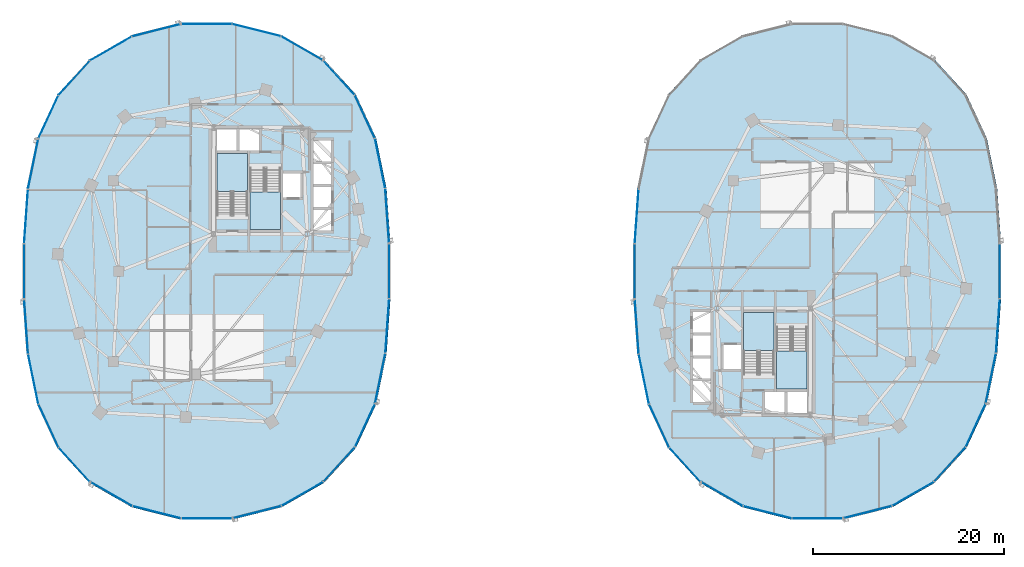
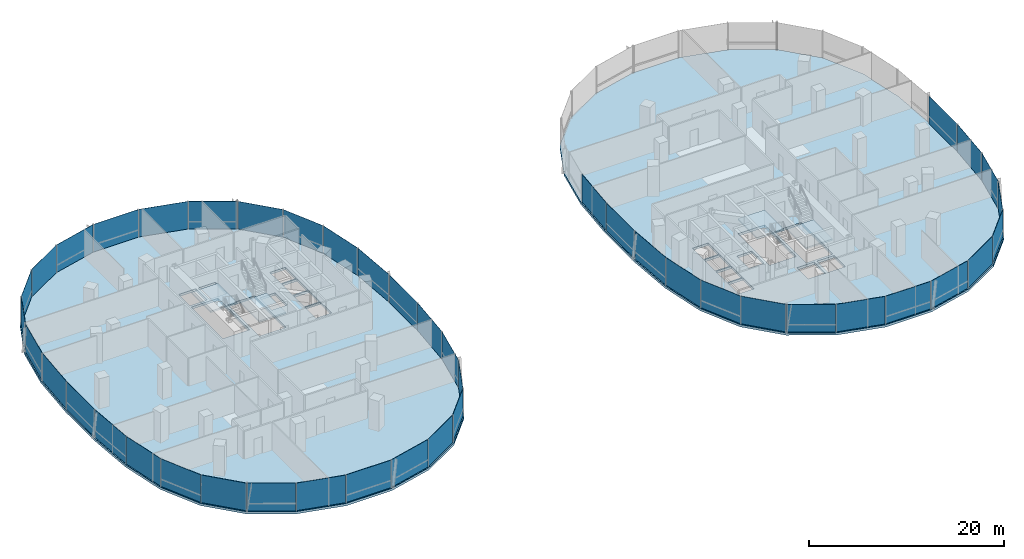
# One storey, part 9 of 22: 44 plates, 6 slabs, 11 elements without a shape of their own.
"""IFC4 building model written with IfcOpenShell, lengths in metres."""

from ifc_helpers import new_model, si_unit, direction, frame, origin, origin_2d, place, context, subcontext, project, spatial, polyline, rectangle, outline, extrude, material, layer, layer_set, type_object, element, aggregate, save


model = new_model("IFC4")

# Units and contexts
model_context = context("Model", 3, precision=1e-05, world=origin(), true_north=direction((0.0, 1.0)))
body_context = subcontext(model_context, "Body", "Model", "MODEL_VIEW")
ifc_project = project(units=[si_unit("LENGTHUNIT", "METRE"), si_unit("AREAUNIT", "SQUARE_METRE"), si_unit("VOLUMEUNIT", "CUBIC_METRE"), si_unit("PLANEANGLEUNIT", "RADIAN"), si_unit("MASSUNIT", "GRAM", prefix="KILO"), si_unit("THERMODYNAMICTEMPERATUREUNIT", "KELVIN"), si_unit("POWERUNIT", "WATT")], contexts=[model_context])

# Site, building, storey
site_placement = place(None, origin())
site = spatial("IfcSite", under=ifc_project, at=site_placement, CompositionType="ELEMENT")
building_placement = place(site_placement, origin())
building = spatial("IfcBuilding", under=site, at=building_placement, Name="Cundina Bronze Exchange", CompositionType="ELEMENT")
storey_placement = place(building_placement, frame((0.0, 0.0, 35.39990234375)))
storey = spatial("IfcBuildingStorey", under=building, at=storey_placement, Name="L08", CompositionType="ELEMENT", Elevation=35.39990234375)

# Curtain wall, plates
ifc_material_1 = material(Name="Anodised Bronze Aluminium 6063-T6", Category="aluminium")
curtain_wall_type = type_object("IfcCurtainWallType", Name="CWS-TRD-LOW", PredefinedType="NOTDEFINED", material=ifc_material_1)
curtain_wall_1_placement = place(storey_placement, origin())
curtain_wall_1 = element("IfcCurtainWall", 1, at=curtain_wall_1_placement, inside=storey, type_object=curtain_wall_type, Name="L08 CW-02 Curtain Wall Run CWR-L08-W1", PredefinedType="NOTDEFINED")
ifc_material_2 = material(Name="Heat-Strengthened Solar-Control Bronze Safety Glass 28mm", Category="glass")
ifc_layer_1 = layer(ifc_material_2, 0.028076171875, Name="Heat-Strengthened Solar-Control Bronze Safety Glass 28mm", Category="glass")
ifc_layer_set_1 = layer_set([ifc_layer_1], Name="Heat-Strengthened Solar-Control Bronze Safety Glass 28mm")
plate_type_1 = type_object("IfcPlateType", Name="PLT-GLZ-VIS28", PredefinedType="CURTAIN_PANEL", material=ifc_layer_set_1)
plate_1_placement = place(storey_placement, frame((-13.0732421875, 5.783935546875, 0.02001953125), z_axis=(0.0, 0.0, 1.0), x_axis=(-0.070278787473, 0.997527389113, 0.0)))
plate_1 = element("IfcPlate", 2, at=plate_1_placement, type_object=plate_type_1, Name="CW-02 Glazed Panel 1", PredefinedType="CURTAIN_PANEL", context=body_context, shape_type="SweptSolid", body=[
    extrude(rectangle(XDim=5.644287109375, YDim=0.028076171875, at=origin_2d()), origin(), (0.0, 0.0, 1.0), 3.4599609375),
])
plate_2_placement = place(storey_placement, frame((-15.413818359375, 16.177734375, 0.02001953125), z_axis=(0.0, 0.0, 1.0), x_axis=(-0.42084583328, 0.907132175932, 0.0)))
plate_2 = element("IfcPlate", 3, at=plate_2_placement, type_object=plate_type_1, Name="CW-02 Glazed Panel 3", PredefinedType="CURTAIN_PANEL", context=body_context, shape_type="SweptSolid", body=[
    extrude(rectangle(XDim=4.966552734375, YDim=0.028076171875, at=origin_2d()), origin(), (0.0, 0.0, 1.0), 3.4599609375),
])
plate_3_placement = place(storey_placement, frame((-18.1259765625, 20.267333984375, 0.02001953125), z_axis=(0.0, 0.0, 1.0), x_axis=(-0.674276610219, 0.73847887777, 0.0)))
plate_3 = element("IfcPlate", 4, at=plate_3_placement, type_object=plate_type_1, Name="CW-02 Glazed Panel 4", PredefinedType="CURTAIN_PANEL", context=body_context, shape_type="SweptSolid", body=[
    extrude(rectangle(XDim=4.86328125, YDim=0.028076171875, at=origin_2d()), origin(), (0.0, 0.0, 1.0), 3.4599609375),
])
plate_4_placement = place(storey_placement, frame((-21.980712890625, 23.34423828125, 0.02001953125), z_axis=(0.0, 0.0, 1.0), x_axis=(-0.867105478933, 0.498124571171, 0.0)))
plate_4 = element("IfcPlate", 5, at=plate_4_placement, type_object=plate_type_1, Name="CW-02 Glazed Panel 5", PredefinedType="CURTAIN_PANEL", context=body_context, shape_type="SweptSolid", body=[
    extrude(rectangle(XDim=5.021240234375, YDim=0.028076171875, at=origin_2d()), origin(), (0.0, 0.0, 1.0), 3.4599609375),
])
plate_5_placement = place(storey_placement, frame((-26.744384765625, 25.256591796875, 0.02001953125), z_axis=(0.0, 0.0, 1.0), x_axis=(-0.969488149345, 0.245138182011, 0.0)))
plate_5 = element("IfcPlate", 6, at=plate_5_placement, type_object=plate_type_1, Name="CW-02 Glazed Panel 6", PredefinedType="CURTAIN_PANEL", context=body_context, shape_type="SweptSolid", body=[
    extrude(rectangle(XDim=5.2333984375, YDim=0.028076171875, at=origin_2d()), origin(), (0.0, 0.0, 1.0), 3.4599609375),
])

curtain_wall_2_placement = place(storey_placement, origin())
curtain_wall_2 = element("IfcCurtainWall", 7, at=curtain_wall_2_placement, inside=storey, type_object=curtain_wall_type, Name="L08 CW-02 Curtain Wall Run CWR-L08-W2", PredefinedType="NOTDEFINED")
plate_6_placement = place(storey_placement, frame((-42.019287109375, 23.34423828125, 0.02001953125), z_axis=(0.0, 0.0, 1.0), x_axis=(-0.867105478933, -0.498124571171, 0.0)))
plate_6 = element("IfcPlate", 8, at=plate_6_placement, type_object=plate_type_1, Name="CW-02 Glazed Panel 2", PredefinedType="CURTAIN_PANEL", context=body_context, shape_type="SweptSolid", body=[
    extrude(rectangle(XDim=5.021240234375, YDim=0.028076171875, at=origin_2d()), origin(), (0.0, 0.0, 1.0), 3.4599609375),
])
plate_7_placement = place(storey_placement, frame((-45.8740234375, 20.267333984375, 0.02001953125), z_axis=(0.0, 0.0, 1.0), x_axis=(-0.674276610219, -0.73847887777, 0.0)))
plate_7 = element("IfcPlate", 9, at=plate_7_placement, type_object=plate_type_1, Name="CW-02 Glazed Panel 3", PredefinedType="CURTAIN_PANEL", context=body_context, shape_type="SweptSolid", body=[
    extrude(rectangle(XDim=4.86328125, YDim=0.028076171875, at=origin_2d()), origin(), (0.0, 0.0, 1.0), 3.4599609375),
])
plate_8_placement = place(storey_placement, frame((-48.586181640625, 16.177734375, 0.02001953125), z_axis=(0.0, 0.0, 1.0), x_axis=(-0.42084583328, -0.907132175932, 0.0)))
plate_8 = element("IfcPlate", 10, at=plate_8_placement, type_object=plate_type_1, Name="CW-02 Glazed Panel 4", PredefinedType="CURTAIN_PANEL", context=body_context, shape_type="SweptSolid", body=[
    extrude(rectangle(XDim=4.966552734375, YDim=0.028076171875, at=origin_2d()), origin(), (0.0, 0.0, 1.0), 3.4599609375),
])
plate_9_placement = place(storey_placement, frame((-50.18408203125, 11.269775390625, 0.02001953125), z_axis=(0.0, 0.0, 1.0), x_axis=(-0.201419845156, -0.979505000486, 0.0)))
plate_9 = element("IfcPlate", 11, at=plate_9_placement, type_object=plate_type_1, Name="CW-02 Glazed Panel 5", PredefinedType="CURTAIN_PANEL", context=body_context, shape_type="SweptSolid", body=[
    extrude(rectangle(XDim=5.306640625, YDim=0.028076171875, at=origin_2d()), origin(), (0.0, 0.0, 1.0), 3.4599609375),
])
plate_10_placement = place(storey_placement, frame((-51.1279296875, 0.0, 0.02001953125), z_axis=(0.0, 0.0, 1.0), x_axis=(0.0, -1.0, 0.0)))
plate_10 = element("IfcPlate", 12, at=plate_10_placement, type_object=plate_type_1, Name="CW-02 Glazed Panel 7", PredefinedType="CURTAIN_PANEL", context=body_context, shape_type="SweptSolid", body=[
    extrude(rectangle(XDim=5.77587890625, YDim=0.028076171875, at=origin_2d()), origin(), (0.0, 0.0, 1.0), 3.4599609375),
])

curtain_wall_3_placement = place(storey_placement, origin())
curtain_wall_3 = element("IfcCurtainWall", 13, at=curtain_wall_3_placement, inside=storey, type_object=curtain_wall_type, Name="L08 CW-02 Curtain Wall Run CWR-L08-W3", PredefinedType="NOTDEFINED")
plate_11_placement = place(storey_placement, frame((-50.9267578125, -5.783935546875, 0.02001953125), z_axis=(0.0, 0.0, 1.0), x_axis=(0.070278787473, -0.997527389113, 0.0)))
plate_11 = element("IfcPlate", 14, at=plate_11_placement, type_object=plate_type_1, Name="CW-02 Glazed Panel 1", PredefinedType="CURTAIN_PANEL", context=body_context, shape_type="SweptSolid", body=[
    extrude(rectangle(XDim=5.644287109375, YDim=0.028076171875, at=origin_2d()), origin(), (0.0, 0.0, 1.0), 3.4599609375),
])
plate_12_placement = place(storey_placement, frame((-50.18408203125, -11.269775390625, 0.02001953125), z_axis=(0.0, 0.0, 1.0), x_axis=(0.201419845156, -0.979505000486, 0.0)))
plate_12 = element("IfcPlate", 15, at=plate_12_placement, type_object=plate_type_1, Name="CW-02 Glazed Panel 2", PredefinedType="CURTAIN_PANEL", context=body_context, shape_type="SweptSolid", body=[
    extrude(rectangle(XDim=5.306640625, YDim=0.028076171875, at=origin_2d()), origin(), (0.0, 0.0, 1.0), 3.4599609375),
])
plate_13_placement = place(storey_placement, frame((-48.586181640625, -16.177734375, 0.02001953125), z_axis=(0.0, 0.0, 1.0), x_axis=(0.42084583328, -0.907132175932, 0.0)))
plate_13 = element("IfcPlate", 16, at=plate_13_placement, type_object=plate_type_1, Name="CW-02 Glazed Panel 3", PredefinedType="CURTAIN_PANEL", context=body_context, shape_type="SweptSolid", body=[
    extrude(rectangle(XDim=4.966552734375, YDim=0.028076171875, at=origin_2d()), origin(), (0.0, 0.0, 1.0), 3.4599609375),
])
plate_14_placement = place(storey_placement, frame((-45.8740234375, -20.267333984375, 0.02001953125), z_axis=(0.0, 0.0, 1.0), x_axis=(0.674276610219, -0.73847887777, 0.0)))
plate_14 = element("IfcPlate", 17, at=plate_14_placement, type_object=plate_type_1, Name="CW-02 Glazed Panel 4", PredefinedType="CURTAIN_PANEL", context=body_context, shape_type="SweptSolid", body=[
    extrude(rectangle(XDim=4.86328125, YDim=0.028076171875, at=origin_2d()), origin(), (0.0, 0.0, 1.0), 3.4599609375),
])
plate_15_placement = place(storey_placement, frame((-37.255615234375, -25.256591796875, 0.02001953125), z_axis=(0.0, 0.0, 1.0), x_axis=(0.969488149345, -0.245138182011, 0.0)))
plate_15 = element("IfcPlate", 18, at=plate_15_placement, type_object=plate_type_1, Name="CW-02 Glazed Panel 6", PredefinedType="CURTAIN_PANEL", context=body_context, shape_type="SweptSolid", body=[
    extrude(rectangle(XDim=5.2333984375, YDim=0.028076171875, at=origin_2d()), origin(), (0.0, 0.0, 1.0), 3.4599609375),
])
plate_16_placement = place(storey_placement, frame((-32.0, -25.905029296875, 0.02001953125), z_axis=(0.0, 0.0, 1.0), x_axis=(1.0, 0.0, 0.0)))
plate_16 = element("IfcPlate", 19, at=plate_16_placement, type_object=plate_type_1, Name="CW-02 Glazed Panel 7", PredefinedType="CURTAIN_PANEL", context=body_context, shape_type="SweptSolid", body=[
    extrude(rectangle(XDim=5.323974609375, YDim=0.028076171875, at=origin_2d()), origin(), (0.0, 0.0, 1.0), 3.4599609375),
])

curtain_wall_4_placement = place(storey_placement, origin())
curtain_wall_4 = element("IfcCurtainWall", 20, at=curtain_wall_4_placement, inside=storey, type_object=curtain_wall_type, Name="L08 CW-02 Curtain Wall Run CWR-L08-W4", PredefinedType="NOTDEFINED")
plate_17_placement = place(storey_placement, frame((-26.744384765625, -25.256591796875, 0.02001953125), z_axis=(0.0, 0.0, 1.0), x_axis=(0.969488149345, 0.245138182011, 0.0)))
plate_17 = element("IfcPlate", 21, at=plate_17_placement, type_object=plate_type_1, Name="CW-02 Glazed Panel 1", PredefinedType="CURTAIN_PANEL", context=body_context, shape_type="SweptSolid", body=[
    extrude(rectangle(XDim=5.2333984375, YDim=0.028076171875, at=origin_2d()), origin(), (0.0, 0.0, 1.0), 3.4599609375),
])
plate_18_placement = place(storey_placement, frame((-21.980712890625, -23.34423828125, 0.02001953125), z_axis=(0.0, 0.0, 1.0), x_axis=(0.867105478933, 0.498124571171, 0.0)))
plate_18 = element("IfcPlate", 22, at=plate_18_placement, type_object=plate_type_1, Name="CW-02 Glazed Panel 2", PredefinedType="CURTAIN_PANEL", context=body_context, shape_type="SweptSolid", body=[
    extrude(rectangle(XDim=5.021240234375, YDim=0.028076171875, at=origin_2d()), origin(), (0.0, 0.0, 1.0), 3.4599609375),
])
plate_19_placement = place(storey_placement, frame((-18.1259765625, -20.267333984375, 0.02001953125), z_axis=(0.0, 0.0, 1.0), x_axis=(0.674276610219, 0.73847887777, 0.0)))
plate_19 = element("IfcPlate", 23, at=plate_19_placement, type_object=plate_type_1, Name="CW-02 Glazed Panel 3", PredefinedType="CURTAIN_PANEL", context=body_context, shape_type="SweptSolid", body=[
    extrude(rectangle(XDim=4.86328125, YDim=0.028076171875, at=origin_2d()), origin(), (0.0, 0.0, 1.0), 3.4599609375),
])
plate_20_placement = place(storey_placement, frame((-13.81591796875, -11.269775390625, 0.02001953125), z_axis=(0.0, 0.0, 1.0), x_axis=(0.201419845156, 0.979505000486, 0.0)))
plate_20 = element("IfcPlate", 24, at=plate_20_placement, type_object=plate_type_1, Name="CW-02 Glazed Panel 5", PredefinedType="CURTAIN_PANEL", context=body_context, shape_type="SweptSolid", body=[
    extrude(rectangle(XDim=5.306640625, YDim=0.028076171875, at=origin_2d()), origin(), (0.0, 0.0, 1.0), 3.4599609375),
])
plate_21_placement = place(storey_placement, frame((-13.0732421875, -5.783935546875, 0.02001953125), z_axis=(0.0, 0.0, 1.0), x_axis=(0.070278787473, 0.997527389113, 0.0)))
plate_21 = element("IfcPlate", 25, at=plate_21_placement, type_object=plate_type_1, Name="CW-02 Glazed Panel 6", PredefinedType="CURTAIN_PANEL", context=body_context, shape_type="SweptSolid", body=[
    extrude(rectangle(XDim=5.644287109375, YDim=0.028076171875, at=origin_2d()), origin(), (0.0, 0.0, 1.0), 3.4599609375),
])
plate_22_placement = place(storey_placement, frame((-12.8720703125, 0.0, 0.02001953125), z_axis=(0.0, 0.0, 1.0), x_axis=(0.0, 1.0, 0.0)))
plate_22 = element("IfcPlate", 26, at=plate_22_placement, type_object=plate_type_1, Name="CW-02 Glazed Panel 7", PredefinedType="CURTAIN_PANEL", context=body_context, shape_type="SweptSolid", body=[
    extrude(rectangle(XDim=5.77587890625, YDim=0.028076171875, at=origin_2d()), origin(), (0.0, 0.0, 1.0), 3.4599609375),
])

# Curtain wall, plate
curtain_wall_5_placement = place(storey_placement, origin())
curtain_wall_5 = element("IfcCurtainWall", 27, at=curtain_wall_5_placement, inside=storey, type_object=curtain_wall_type, Name="L08 CW-02 Curtain Wall Run CWR-L08-E2", PredefinedType="NOTDEFINED")
plate_23_placement = place(storey_placement, frame((12.8720703125, 0.0, 0.02001953125), z_axis=(0.0, 0.0, 1.0), x_axis=(0.0, -1.0, 0.0)))
plate_23 = element("IfcPlate", 28, at=plate_23_placement, type_object=plate_type_1, Name="CW-02 Glazed Panel 7", PredefinedType="CURTAIN_PANEL", context=body_context, shape_type="SweptSolid", body=[
    extrude(rectangle(XDim=5.77587890625, YDim=0.028076171875, at=origin_2d()), origin(), (0.0, 0.0, 1.0), 3.4599609375),
])

# Curtain wall, plates
curtain_wall_6_placement = place(storey_placement, origin())
curtain_wall_6 = element("IfcCurtainWall", 29, at=curtain_wall_6_placement, inside=storey, type_object=curtain_wall_type, Name="L08 CW-02 Curtain Wall Run CWR-L08-E3", PredefinedType="NOTDEFINED")
plate_24_placement = place(storey_placement, frame((13.0732421875, -5.783935546875, 0.02001953125), z_axis=(0.0, 0.0, 1.0), x_axis=(0.070278787473, -0.997527389113, 0.0)))
plate_24 = element("IfcPlate", 30, at=plate_24_placement, type_object=plate_type_1, Name="CW-02 Glazed Panel 1", PredefinedType="CURTAIN_PANEL", context=body_context, shape_type="SweptSolid", body=[
    extrude(rectangle(XDim=5.644287109375, YDim=0.028076171875, at=origin_2d()), origin(), (0.0, 0.0, 1.0), 3.4599609375),
])
plate_25_placement = place(storey_placement, frame((13.81591796875, -11.269775390625, 0.02001953125), z_axis=(0.0, 0.0, 1.0), x_axis=(0.201419845156, -0.979505000486, 0.0)))
plate_25 = element("IfcPlate", 31, at=plate_25_placement, type_object=plate_type_1, Name="CW-02 Glazed Panel 2", PredefinedType="CURTAIN_PANEL", context=body_context, shape_type="SweptSolid", body=[
    extrude(rectangle(XDim=5.306640625, YDim=0.028076171875, at=origin_2d()), origin(), (0.0, 0.0, 1.0), 3.4599609375),
])
plate_26_placement = place(storey_placement, frame((15.413818359375, -16.177734375, 0.02001953125), z_axis=(0.0, 0.0, 1.0), x_axis=(0.42084583328, -0.907132175932, 0.0)))
plate_26 = element("IfcPlate", 32, at=plate_26_placement, type_object=plate_type_1, Name="CW-02 Glazed Panel 3", PredefinedType="CURTAIN_PANEL", context=body_context, shape_type="SweptSolid", body=[
    extrude(rectangle(XDim=4.966552734375, YDim=0.028076171875, at=origin_2d()), origin(), (0.0, 0.0, 1.0), 3.4599609375),
])
plate_27_placement = place(storey_placement, frame((18.1259765625, -20.267333984375, 0.02001953125), z_axis=(0.0, 0.0, 1.0), x_axis=(0.674276610219, -0.73847887777, 0.0)))
plate_27 = element("IfcPlate", 33, at=plate_27_placement, type_object=plate_type_1, Name="CW-02 Glazed Panel 4", PredefinedType="CURTAIN_PANEL", context=body_context, shape_type="SweptSolid", body=[
    extrude(rectangle(XDim=4.86328125, YDim=0.028076171875, at=origin_2d()), origin(), (0.0, 0.0, 1.0), 3.4599609375),
])
plate_28_placement = place(storey_placement, frame((26.744384765625, -25.256591796875, 0.02001953125), z_axis=(0.0, 0.0, 1.0), x_axis=(0.969488149345, -0.245138182011, 0.0)))
plate_28 = element("IfcPlate", 34, at=plate_28_placement, type_object=plate_type_1, Name="CW-02 Glazed Panel 6", PredefinedType="CURTAIN_PANEL", context=body_context, shape_type="SweptSolid", body=[
    extrude(rectangle(XDim=5.2333984375, YDim=0.028076171875, at=origin_2d()), origin(), (0.0, 0.0, 1.0), 3.4599609375),
])
plate_29_placement = place(storey_placement, frame((32.0, -25.905029296875, 0.02001953125), z_axis=(0.0, 0.0, 1.0), x_axis=(1.0, 0.0, 0.0)))
plate_29 = element("IfcPlate", 35, at=plate_29_placement, type_object=plate_type_1, Name="CW-02 Glazed Panel 7", PredefinedType="CURTAIN_PANEL", context=body_context, shape_type="SweptSolid", body=[
    extrude(rectangle(XDim=5.323974609375, YDim=0.028076171875, at=origin_2d()), origin(), (0.0, 0.0, 1.0), 3.4599609375),
])

curtain_wall_7_placement = place(storey_placement, origin())
curtain_wall_7 = element("IfcCurtainWall", 36, at=curtain_wall_7_placement, inside=storey, type_object=curtain_wall_type, Name="L08 CW-02 Curtain Wall Run CWR-L08-E4", PredefinedType="NOTDEFINED")
plate_30_placement = place(storey_placement, frame((37.255615234375, -25.256591796875, 0.02001953125), z_axis=(0.0, 0.0, 1.0), x_axis=(0.969488149345, 0.245138182011, 0.0)))
plate_30 = element("IfcPlate", 37, at=plate_30_placement, type_object=plate_type_1, Name="CW-02 Glazed Panel 1", PredefinedType="CURTAIN_PANEL", context=body_context, shape_type="SweptSolid", body=[
    extrude(rectangle(XDim=5.2333984375, YDim=0.028076171875, at=origin_2d()), origin(), (0.0, 0.0, 1.0), 3.4599609375),
])
plate_31_placement = place(storey_placement, frame((42.019287109375, -23.34423828125, 0.02001953125), z_axis=(0.0, 0.0, 1.0), x_axis=(0.867105478933, 0.498124571171, 0.0)))
plate_31 = element("IfcPlate", 38, at=plate_31_placement, type_object=plate_type_1, Name="CW-02 Glazed Panel 2", PredefinedType="CURTAIN_PANEL", context=body_context, shape_type="SweptSolid", body=[
    extrude(rectangle(XDim=5.021240234375, YDim=0.028076171875, at=origin_2d()), origin(), (0.0, 0.0, 1.0), 3.4599609375),
])
plate_32_placement = place(storey_placement, frame((45.8740234375, -20.267333984375, 0.02001953125), z_axis=(0.0, 0.0, 1.0), x_axis=(0.674276610219, 0.73847887777, 0.0)))
plate_32 = element("IfcPlate", 39, at=plate_32_placement, type_object=plate_type_1, Name="CW-02 Glazed Panel 3", PredefinedType="CURTAIN_PANEL", context=body_context, shape_type="SweptSolid", body=[
    extrude(rectangle(XDim=4.86328125, YDim=0.028076171875, at=origin_2d()), origin(), (0.0, 0.0, 1.0), 3.4599609375),
])
plate_33_placement = place(storey_placement, frame((50.18408203125, -11.269775390625, 0.02001953125), z_axis=(0.0, 0.0, 1.0), x_axis=(0.201419845156, 0.979505000486, 0.0)))
plate_33 = element("IfcPlate", 40, at=plate_33_placement, type_object=plate_type_1, Name="CW-02 Glazed Panel 5", PredefinedType="CURTAIN_PANEL", context=body_context, shape_type="SweptSolid", body=[
    extrude(rectangle(XDim=5.306640625, YDim=0.028076171875, at=origin_2d()), origin(), (0.0, 0.0, 1.0), 3.4599609375),
])
plate_34_placement = place(storey_placement, frame((50.9267578125, -5.783935546875, 0.02001953125), z_axis=(0.0, 0.0, 1.0), x_axis=(0.070278787473, 0.997527389113, 0.0)))
plate_34 = element("IfcPlate", 41, at=plate_34_placement, type_object=plate_type_1, Name="CW-02 Glazed Panel 6", PredefinedType="CURTAIN_PANEL", context=body_context, shape_type="SweptSolid", body=[
    extrude(rectangle(XDim=5.644287109375, YDim=0.028076171875, at=origin_2d()), origin(), (0.0, 0.0, 1.0), 3.4599609375),
])
plate_35_placement = place(storey_placement, frame((51.1279296875, 0.0, 0.02001953125), z_axis=(0.0, 0.0, 1.0), x_axis=(0.0, 1.0, 0.0)))
plate_35 = element("IfcPlate", 42, at=plate_35_placement, type_object=plate_type_1, Name="CW-02 Glazed Panel 7", PredefinedType="CURTAIN_PANEL", context=body_context, shape_type="SweptSolid", body=[
    extrude(rectangle(XDim=5.77587890625, YDim=0.028076171875, at=origin_2d()), origin(), (0.0, 0.0, 1.0), 3.4599609375),
])

# Plate
ifc_material_3 = material(Name="Dark Bronze Spandrel Glass Panel 32mm", Category="glass")
ifc_layer_2 = layer(ifc_material_3, 0.031982421875, Name="Dark Bronze Spandrel Glass Panel 32mm", Category="glass")
ifc_layer_set_2 = layer_set([ifc_layer_2], Name="Dark Bronze Spandrel Glass Panel 32mm")
plate_type_2 = type_object("IfcPlateType", Name="PLT-SPN-BRZ32", PredefinedType="CURTAIN_PANEL", material=ifc_layer_set_2)
plate_36_placement = place(storey_placement, frame((-13.81591796875, 11.269775390625, 0.02001953125), z_axis=(0.0, 0.0, 1.0), x_axis=(-0.201419845156, 0.979505000486, 0.0)))
plate_36 = element("IfcPlate", 43, at=plate_36_placement, type_object=plate_type_2, Name="CW-02 Glazed Panel 2", PredefinedType="CURTAIN_PANEL", context=body_context, shape_type="SweptSolid", body=[
    extrude(rectangle(XDim=5.306640625, YDim=0.031982421875, at=origin_2d()), origin(), (0.0, 0.0, 1.0), 3.4599609375),
])

plate_37_placement = place(storey_placement, frame((-32.0, 25.905029296875, 0.02001953125), z_axis=(0.0, 0.0, 1.0), x_axis=(-1.0, 0.0, 0.0)))
plate_37 = element("IfcPlate", 44, at=plate_37_placement, type_object=plate_type_2, Name="CW-02 Glazed Panel 7", PredefinedType="CURTAIN_PANEL", context=body_context, shape_type="SweptSolid", body=[
    extrude(rectangle(XDim=5.323974609375, YDim=0.031982421875, at=origin_2d()), origin(), (0.0, 0.0, 1.0), 3.4599609375),
])

aggregate(curtain_wall_1, [plate_1, plate_36, plate_2, plate_3, plate_4, plate_5, plate_37])

plate_38_placement = place(storey_placement, frame((-37.255615234375, 25.256591796875, 0.02001953125), z_axis=(0.0, 0.0, 1.0), x_axis=(-0.969488149345, -0.245138182011, 0.0)))
plate_38 = element("IfcPlate", 45, at=plate_38_placement, type_object=plate_type_2, Name="CW-02 Glazed Panel 1", PredefinedType="CURTAIN_PANEL", context=body_context, shape_type="SweptSolid", body=[
    extrude(rectangle(XDim=5.2333984375, YDim=0.031982421875, at=origin_2d()), origin(), (0.0, 0.0, 1.0), 3.4599609375),
])

plate_39_placement = place(storey_placement, frame((-50.9267578125, 5.783935546875, 0.02001953125), z_axis=(0.0, 0.0, 1.0), x_axis=(-0.070278787473, -0.997527389113, 0.0)))
plate_39 = element("IfcPlate", 46, at=plate_39_placement, type_object=plate_type_2, Name="CW-02 Glazed Panel 6", PredefinedType="CURTAIN_PANEL", context=body_context, shape_type="SweptSolid", body=[
    extrude(rectangle(XDim=5.644287109375, YDim=0.031982421875, at=origin_2d()), origin(), (0.0, 0.0, 1.0), 3.4599609375),
])

aggregate(curtain_wall_2, [plate_38, plate_6, plate_7, plate_8, plate_9, plate_39, plate_10])

plate_40_placement = place(storey_placement, frame((-42.019287109375, -23.34423828125, 0.02001953125), z_axis=(0.0, 0.0, 1.0), x_axis=(0.867105478933, -0.498124571171, 0.0)))
plate_40 = element("IfcPlate", 47, at=plate_40_placement, type_object=plate_type_2, Name="CW-02 Glazed Panel 5", PredefinedType="CURTAIN_PANEL", context=body_context, shape_type="SweptSolid", body=[
    extrude(rectangle(XDim=5.021240234375, YDim=0.031982421875, at=origin_2d()), origin(), (0.0, 0.0, 1.0), 3.4599609375),
])

aggregate(curtain_wall_3, [plate_11, plate_12, plate_13, plate_14, plate_40, plate_15, plate_16])

plate_41_placement = place(storey_placement, frame((-15.413818359375, -16.177734375, 0.02001953125), z_axis=(0.0, 0.0, 1.0), x_axis=(0.42084583328, 0.907132175932, 0.0)))
plate_41 = element("IfcPlate", 48, at=plate_41_placement, type_object=plate_type_2, Name="CW-02 Glazed Panel 4", PredefinedType="CURTAIN_PANEL", context=body_context, shape_type="SweptSolid", body=[
    extrude(rectangle(XDim=4.966552734375, YDim=0.031982421875, at=origin_2d()), origin(), (0.0, 0.0, 1.0), 3.4599609375),
])

aggregate(curtain_wall_4, [plate_17, plate_18, plate_19, plate_41, plate_20, plate_21, plate_22])

plate_42_placement = place(storey_placement, frame((13.0732421875, 5.783935546875, 0.02001953125), z_axis=(0.0, 0.0, 1.0), x_axis=(-0.070278787473, -0.997527389113, 0.0)))
plate_42 = element("IfcPlate", 49, at=plate_42_placement, type_object=plate_type_2, Name="CW-02 Glazed Panel 6", PredefinedType="CURTAIN_PANEL", context=body_context, shape_type="SweptSolid", body=[
    extrude(rectangle(XDim=5.644287109375, YDim=0.031982421875, at=origin_2d()), origin(), (0.0, 0.0, 1.0), 3.4599609375),
])

aggregate(curtain_wall_5, [plate_42, plate_23])

plate_43_placement = place(storey_placement, frame((21.980712890625, -23.34423828125, 0.02001953125), z_axis=(0.0, 0.0, 1.0), x_axis=(0.867105478933, -0.498124571171, 0.0)))
plate_43 = element("IfcPlate", 50, at=plate_43_placement, type_object=plate_type_2, Name="CW-02 Glazed Panel 5", PredefinedType="CURTAIN_PANEL", context=body_context, shape_type="SweptSolid", body=[
    extrude(rectangle(XDim=5.021240234375, YDim=0.031982421875, at=origin_2d()), origin(), (0.0, 0.0, 1.0), 3.4599609375),
])

aggregate(curtain_wall_6, [plate_24, plate_25, plate_26, plate_27, plate_43, plate_28, plate_29])

plate_44_placement = place(storey_placement, frame((48.586181640625, -16.177734375, 0.02001953125), z_axis=(0.0, 0.0, 1.0), x_axis=(0.42084583328, 0.907132175932, 0.0)))
plate_44 = element("IfcPlate", 51, at=plate_44_placement, type_object=plate_type_2, Name="CW-02 Glazed Panel 4", PredefinedType="CURTAIN_PANEL", context=body_context, shape_type="SweptSolid", body=[
    extrude(rectangle(XDim=4.966552734375, YDim=0.031982421875, at=origin_2d()), origin(), (0.0, 0.0, 1.0), 3.4599609375),
])

aggregate(curtain_wall_7, [plate_30, plate_31, plate_32, plate_44, plate_33, plate_34, plate_35])

# Stair, slab
ifc_material_4 = material(Name="Concrete C40/50", Category="concrete")
stair_type = type_object("IfcStairType", Name="STR-TRD-380", PredefinedType="HALF_TURN_STAIR", material=ifc_material_4)
stair_1_placement = place(storey_placement, origin())
stair_1 = element("IfcStair", 52, at=stair_1_placement, inside=storey, type_object=stair_type, Name="L08 Smokeproof Exit Stair W1", PredefinedType="HALF_TURN_STAIR")
ifc_layer_3 = layer(ifc_material_4, 0.199951171875, Name="Concrete C40/50", Category="concrete")
ifc_layer_set_3 = layer_set([ifc_layer_3], Name="Concrete C40/50")
slab_type_1 = type_object("IfcSlabType", Name="SLB-LND-200", PredefinedType="LANDING", material=ifc_layer_set_3)
slab_1_placement = place(storey_placement, frame((0.0, 0.0, 1.7001953125)))
slab_1 = element("IfcSlab", 53, at=slab_1_placement, type_object=slab_type_1, Name="ST-W1 landing 1", PredefinedType="LANDING", context=body_context, shape_type="SweptSolid", body=[
    extrude(outline(polyline([(-27.739990234375, 8.3701171875), (-27.739990234375, 12.35009765625), (-30.89990234375, 12.35009765625), (-30.89990234375, 8.3701171875), (-27.739990234375, 8.3701171875)])), origin(), (0.0, 0.0, 1.0), 0.199951171875),
])
aggregate(stair_1, [slab_1])

stair_2_placement = place(storey_placement, origin())
stair_2 = element("IfcStair", 54, at=stair_2_placement, inside=storey, type_object=stair_type, Name="L08 Smokeproof Exit Stair W2", PredefinedType="HALF_TURN_STAIR")
slab_2_placement = place(storey_placement, frame((0.0, 0.0, 1.7001953125)))
slab_2 = element("IfcSlab", 55, at=slab_2_placement, type_object=slab_type_1, Name="ST-W2 landing 1", PredefinedType="LANDING", context=body_context, shape_type="SweptSolid", body=[
    extrude(outline(polyline([(-27.43994140625, 8.330078125), (-27.43994140625, 4.35009765625), (-24.280029296875, 4.35009765625), (-24.280029296875, 8.330078125), (-27.43994140625, 8.330078125)])), origin(), (0.0, 0.0, 1.0), 0.199951171875),
])
aggregate(stair_2, [slab_2])

stair_3_placement = place(storey_placement, origin())
stair_3 = element("IfcStair", 56, at=stair_3_placement, inside=storey, type_object=stair_type, Name="L08 Smokeproof Exit Stair E1", PredefinedType="HALF_TURN_STAIR")
slab_3_placement = place(storey_placement, frame((0.0, 0.0, 1.7001953125)))
slab_3 = element("IfcSlab", 57, at=slab_3_placement, type_object=slab_type_1, Name="ST-E1 landing 1", PredefinedType="LANDING", context=body_context, shape_type="SweptSolid", body=[
    extrude(outline(polyline([(27.739990234375, -8.3701171875), (27.739990234375, -12.35009765625), (30.89990234375, -12.35009765625), (30.89990234375, -8.3701171875), (27.739990234375, -8.3701171875)])), origin(), (0.0, 0.0, 1.0), 0.199951171875),
])
aggregate(stair_3, [slab_3])

stair_4_placement = place(storey_placement, origin())
stair_4 = element("IfcStair", 58, at=stair_4_placement, inside=storey, type_object=stair_type, Name="L08 Smokeproof Exit Stair E2", PredefinedType="HALF_TURN_STAIR")
slab_4_placement = place(storey_placement, frame((0.0, 0.0, 1.7001953125)))
slab_4 = element("IfcSlab", 59, at=slab_4_placement, type_object=slab_type_1, Name="ST-E2 landing 1", PredefinedType="LANDING", context=body_context, shape_type="SweptSolid", body=[
    extrude(outline(polyline([(27.43994140625, -8.330078125), (27.43994140625, -4.35009765625), (24.280029296875, -4.35009765625), (24.280029296875, -8.330078125), (27.43994140625, -8.330078125)])), origin(), (0.0, 0.0, 1.0), 0.199951171875),
])
aggregate(stair_4, [slab_4])

# Slabs
ifc_material_5 = material(Name="Concrete C50/60", Category="concrete")
ifc_layer_4 = layer(ifc_material_5, 0.300048828125, Name="Concrete C50/60", Category="concrete")
ifc_layer_set_4 = layer_set([ifc_layer_4], Name="Concrete C50/60")
slab_type_2 = type_object("IfcSlabType", Name="SLB-TRD-300", PredefinedType="FLOOR", material=ifc_layer_set_4)
slab_5_placement = place(storey_placement, frame((0.0, 0.0, -0.2998046875)))
element("IfcSlab", 60, at=slab_5_placement, inside=storey, type_object=slab_type_2, Name="L08 Leg W Structural Floor Slab", PredefinedType="FLOOR", context=body_context, shape_type="SweptSolid", body=[
    extrude(outline(polyline([(-12.741943359375, 2.93310546875), (-13.14501953125, 8.653076171875), (-14.23193359375, 13.93896484375), (-16.360107421875, 18.52587890625), (-19.699951171875, 22.18408203125), (-24.132080078125, 24.72998046875), (-29.29296875, 26.034912109375), (-34.70703125, 26.034912109375), (-39.867919921875, 24.72998046875), (-44.300048828125, 22.18408203125), (-47.639892578125, 18.52587890625), (-49.76806640625, 13.93896484375), (-50.85498046875, 8.653076171875), (-51.258056640625, 2.93310546875), (-51.258056640625, -2.93310546875), (-50.85498046875, -8.653076171875), (-49.76806640625, -13.93896484375), (-47.639892578125, -18.52587890625), (-44.300048828125, -22.18408203125), (-39.867919921875, -24.72998046875), (-34.70703125, -26.034912109375), (-29.29296875, -26.034912109375), (-24.132080078125, -24.72998046875), (-19.699951171875, -22.18408203125), (-16.360107421875, -18.52587890625), (-14.23193359375, -13.93896484375), (-13.14501953125, -8.653076171875), (-12.741943359375, -2.93310546875), (-12.741943359375, 2.93310546875)]), holes=[polyline([(-27.739990234375, 5.85009765625), (-27.739990234375, 12.35009765625), (-30.89990234375, 12.35009765625), (-30.89990234375, 5.85009765625), (-27.739990234375, 5.85009765625)]), polyline([(-27.43994140625, 10.85009765625), (-27.43994140625, 4.35009765625), (-24.280029296875, 4.35009765625), (-24.280029296875, 10.85009765625), (-27.43994140625, 10.85009765625)]), polyline([(-23.97998046875, 10.25), (-22.179931640625, 10.25), (-22.179931640625, 7.75), (-23.97998046875, 7.75), (-23.97998046875, 10.25)]), polyline([(-30.89990234375, 14.949951171875), (-28.85009765625, 14.949951171875), (-28.85009765625, 12.64990234375), (-30.89990234375, 12.64990234375), (-30.89990234375, 14.949951171875)]), polyline([(-28.550048828125, 14.949951171875), (-26.5, 14.949951171875), (-26.5, 12.64990234375), (-28.550048828125, 12.64990234375), (-28.550048828125, 14.949951171875)]), polyline([(-20.800048828125, 13.699951171875), (-18.949951171875, 13.699951171875), (-18.949951171875, 11.449951171875), (-20.800048828125, 11.449951171875), (-20.800048828125, 13.699951171875)]), polyline([(-20.800048828125, 11.300048828125), (-18.949951171875, 11.300048828125), (-18.949951171875, 9.050048828125), (-20.800048828125, 9.050048828125), (-20.800048828125, 11.300048828125)]), polyline([(-20.800048828125, 8.89990234375), (-18.949951171875, 8.89990234375), (-18.949951171875, 6.64990234375), (-20.800048828125, 6.64990234375), (-20.800048828125, 8.89990234375)]), polyline([(-20.800048828125, 6.5), (-18.949951171875, 6.5), (-18.949951171875, 4.25), (-20.800048828125, 4.25), (-20.800048828125, 6.5)])]), origin(), (0.0, 0.0, 1.0), 0.2998046875),
])
slab_6_placement = place(storey_placement, frame((0.0, 0.0, -0.2998046875)))
element("IfcSlab", 61, at=slab_6_placement, inside=storey, type_object=slab_type_2, Name="L08 Leg E Structural Floor Slab", PredefinedType="FLOOR", context=body_context, shape_type="SweptSolid", body=[
    extrude(outline(polyline([(51.258056640625, 2.93310546875), (50.85498046875, 8.653076171875), (49.76806640625, 13.93896484375), (47.639892578125, 18.52587890625), (44.300048828125, 22.18408203125), (39.867919921875, 24.72998046875), (34.70703125, 26.034912109375), (29.29296875, 26.034912109375), (24.132080078125, 24.72998046875), (19.699951171875, 22.18408203125), (16.360107421875, 18.52587890625), (14.23193359375, 13.93896484375), (13.14501953125, 8.653076171875), (12.741943359375, 2.93310546875), (12.741943359375, -2.93310546875), (13.14501953125, -8.653076171875), (14.23193359375, -13.93896484375), (16.360107421875, -18.52587890625), (19.699951171875, -22.18408203125), (24.132080078125, -24.72998046875), (29.29296875, -26.034912109375), (34.70703125, -26.034912109375), (39.867919921875, -24.72998046875), (44.300048828125, -22.18408203125), (47.639892578125, -18.52587890625), (49.76806640625, -13.93896484375), (50.85498046875, -8.653076171875), (51.258056640625, -2.93310546875), (51.258056640625, 2.93310546875)]), holes=[polyline([(27.739990234375, -5.85009765625), (27.739990234375, -12.35009765625), (30.89990234375, -12.35009765625), (30.89990234375, -5.85009765625), (27.739990234375, -5.85009765625)]), polyline([(27.43994140625, -10.85009765625), (27.43994140625, -4.35009765625), (24.280029296875, -4.35009765625), (24.280029296875, -10.85009765625), (27.43994140625, -10.85009765625)]), polyline([(22.179931640625, -7.75), (23.97998046875, -7.75), (23.97998046875, -10.25), (22.179931640625, -10.25), (22.179931640625, -7.75)]), polyline([(28.85009765625, -12.64990234375), (30.89990234375, -12.64990234375), (30.89990234375, -14.949951171875), (28.85009765625, -14.949951171875), (28.85009765625, -12.64990234375)]), polyline([(26.5, -12.64990234375), (28.550048828125, -12.64990234375), (28.550048828125, -14.949951171875), (26.5, -14.949951171875), (26.5, -12.64990234375)]), polyline([(18.949951171875, -11.449951171875), (20.800048828125, -11.449951171875), (20.800048828125, -13.699951171875), (18.949951171875, -13.699951171875), (18.949951171875, -11.449951171875)]), polyline([(18.949951171875, -9.050048828125), (20.800048828125, -9.050048828125), (20.800048828125, -11.300048828125), (18.949951171875, -11.300048828125), (18.949951171875, -9.050048828125)]), polyline([(18.949951171875, -6.64990234375), (20.800048828125, -6.64990234375), (20.800048828125, -8.89990234375), (18.949951171875, -8.89990234375), (18.949951171875, -6.64990234375)]), polyline([(18.949951171875, -4.25), (20.800048828125, -4.25), (20.800048828125, -6.5), (18.949951171875, -6.5), (18.949951171875, -4.25)])]), origin(), (0.0, 0.0, 1.0), 0.2998046875),
])

save(model, "model.ifc")
